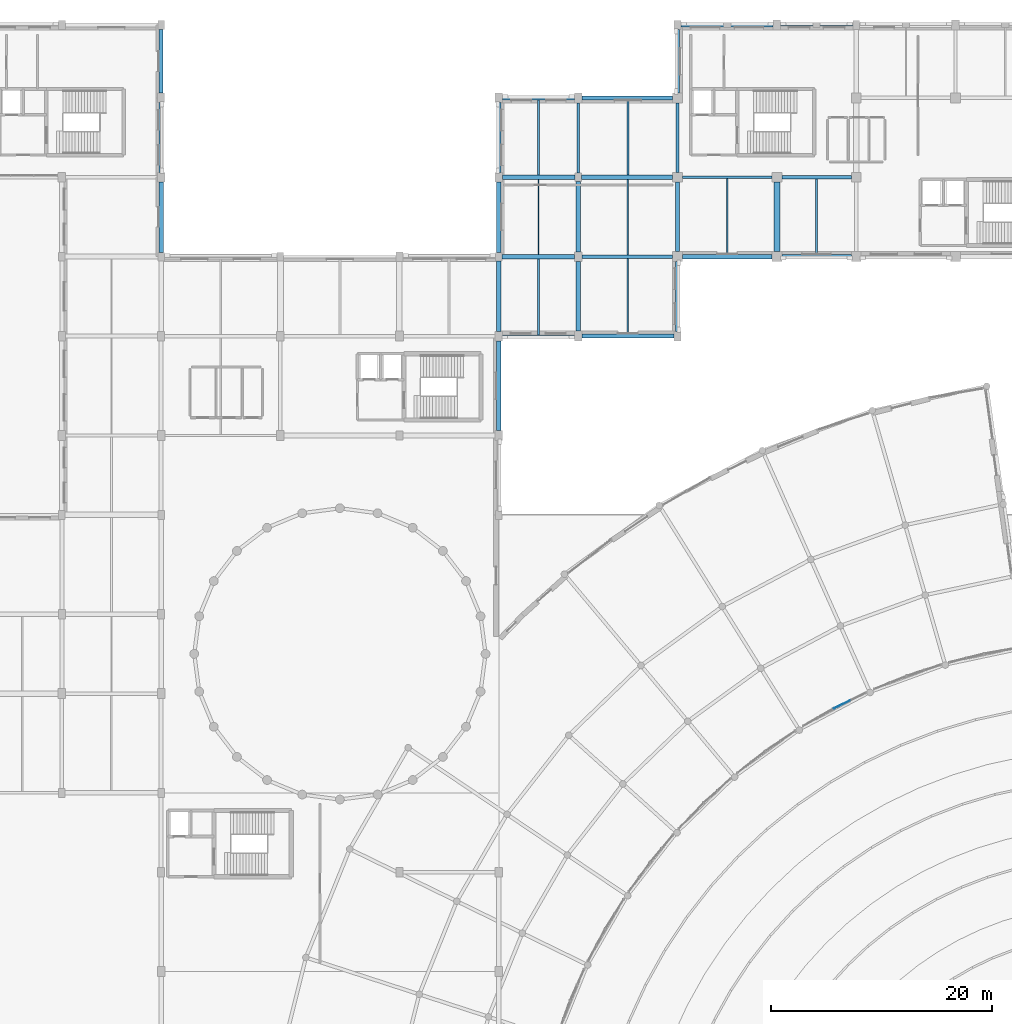
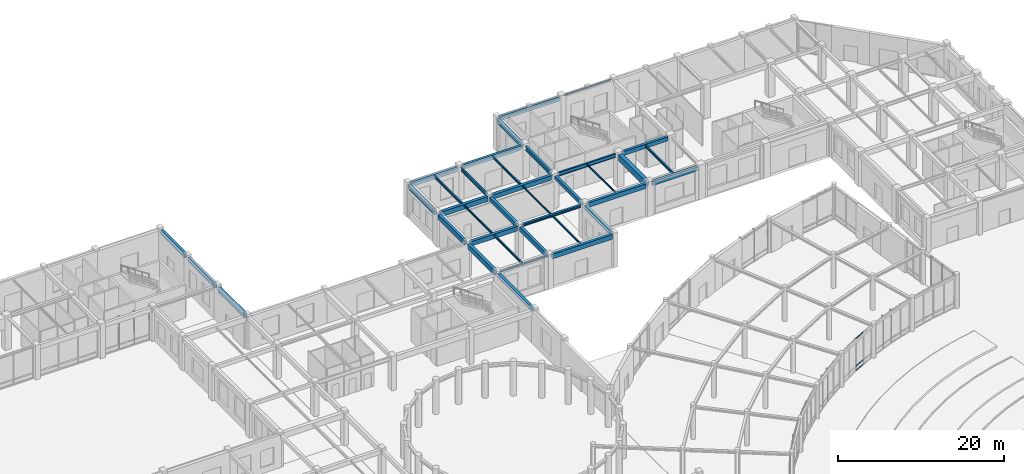
# One storey, part 32 of 64: 37 beams, 3 members, 1 element without a shape of its own.
"""IFC4 building model written with IfcOpenShell, lengths in metres."""

from ifc_helpers import new_model, si_unit, direction, frame, origin, origin_2d, place, context, subcontext, project, spatial, rectangle, i_section, extrude, material, material_profile, profile_set, type_object, element, aggregate, save


model = new_model("IFC4")

# Units and contexts
model_context = context("Model", 3, precision=1e-05, world=origin(), true_north=direction((0.0, 1.0)))
body_context = subcontext(model_context, "Body", "Model", "MODEL_VIEW")
ifc_project = project(units=[si_unit("LENGTHUNIT", "METRE"), si_unit("AREAUNIT", "SQUARE_METRE"), si_unit("VOLUMEUNIT", "CUBIC_METRE"), si_unit("PLANEANGLEUNIT", "RADIAN"), si_unit("MASSUNIT", "GRAM", prefix="KILO")], contexts=[model_context])

# Site, building, storey
site_placement = place(None, origin())
site = spatial("IfcSite", under=ifc_project, at=site_placement, CompositionType="ELEMENT")
building_placement = place(site_placement, origin())
building = spatial("IfcBuilding", under=site, at=building_placement, Name="Clarverna Civic Hall", CompositionType="ELEMENT")
storey_placement = place(building_placement, origin())
storey = spatial("IfcBuildingStorey", under=building, at=storey_placement, Name="L00", CompositionType="ELEMENT", Elevation=0.0)

# Beams
ifc_material_1 = material(Name="Steel S355", Category="steel")
ifc_material_profile_1 = material_profile(ifc_material_1, i_section(OverallWidth=0.219970703125, OverallDepth=0.2099609375, WebThickness=0.007080078125, FlangeThickness=0.010986328125, FilletRadius=0.01806640625, at=origin_2d()), Name="HEA 220")
ifc_profile_set_1 = profile_set([ifc_material_profile_1], Name="Steel S355")
beam_type_1 = type_object("IfcBeamType", Name="B-LN1", PredefinedType="LINTEL", material=ifc_profile_set_1)
beam_1_placement = place(storey_placement, frame((97.52490234375, 87.800048828125, 4.675048828125), z_axis=(1.0, 0.0, 0.0), x_axis=(0.0, 1.0, 0.0)))
element("IfcBeam", 1, at=beam_1_placement, inside=storey, type_object=beam_type_1, Name="B-LN1-006", PredefinedType="LINTEL", context=body_context, shape_type="SweptSolid", body=[
    extrude(i_section(OverallWidth=0.219970703125, OverallDepth=0.2099609375, WebThickness=0.007080078125, FlangeThickness=0.010986328125, FilletRadius=0.01806640625, at=origin_2d()), origin(), (0.0, 0.0, 1.0), 6.525146484375),
])
ifc_material_profile_2 = material_profile(ifc_material_1, i_section(OverallWidth=0.199951171875, OverallDepth=0.18994140625, WebThickness=0.006591796875, FlangeThickness=0.010009765625, FilletRadius=0.01806640625, at=origin_2d()), Name="HEA 200")
ifc_profile_set_2 = profile_set([ifc_material_profile_2], Name="Steel S355")
beam_type_2 = type_object("IfcBeamType", Name="B-LN2", PredefinedType="LINTEL", material=ifc_profile_set_2)
beam_2_placement = place(storey_placement, frame((122.75, 116.0, 4.68505859375), z_axis=(1.0, 0.0, 0.0), x_axis=(0.0, 1.0, 0.0)))
element("IfcBeam", 2, at=beam_2_placement, inside=storey, type_object=beam_type_2, Name="B-LN2-010", PredefinedType="LINTEL", context=body_context, shape_type="SweptSolid", body=[
    extrude(i_section(OverallWidth=0.199951171875, OverallDepth=0.18994140625, WebThickness=0.006591796875, FlangeThickness=0.010009765625, FilletRadius=0.01806640625, at=origin_2d()), origin(), (0.0, 0.0, 1.0), 6.550048828125),
])
ifc_material_2 = material(Name="Concrete C35/45", Category="concrete")
ifc_material_profile_3 = material_profile(ifc_material_2, rectangle(XDim=0.35009765625, YDim=0.5, at=origin_2d()), Name="RC 350x500")
ifc_profile_set_3 = profile_set([ifc_material_profile_3], Name="Concrete C35/45")
beam_type_3 = type_object("IfcBeamType", Name="B-RC10", PredefinedType="BEAM", material=ifc_profile_set_3)
beam_3_placement = place(storey_placement, frame((113.39990234375, 95.449951171875, 4.530029296875), z_axis=(0.0, 1.0, 0.0), x_axis=(-1.0, 0.0, 0.0)))
element("IfcBeam", 3, at=beam_3_placement, inside=storey, type_object=beam_type_3, Name="B-RC10-021", PredefinedType="BEAM", context=body_context, shape_type="SweptSolid", body=[
    extrude(rectangle(XDim=0.35009765625, YDim=0.5, at=origin_2d()), origin(), (0.0, 0.0, 1.0), 6.300048828125),
])
ifc_material_profile_4 = material_profile(ifc_material_2, rectangle(XDim=0.550048828125, YDim=0.89990234375, at=origin_2d()), Name="RC 550x900")
ifc_profile_set_4 = profile_set([ifc_material_profile_4], Name="Concrete C35/45")
beam_type_4 = type_object("IfcBeamType", Name="B-RC13", PredefinedType="BEAM", material=ifc_profile_set_4)
beam_4_placement = place(storey_placement, frame((122.39990234375, 95.449951171875, 4.330078125), z_axis=(0.0, 1.0, 0.0), x_axis=(-1.0, 0.0, 0.0)))
element("IfcBeam", 4, at=beam_4_placement, inside=storey, type_object=beam_type_4, Name="B-RC13-020", PredefinedType="BEAM", context=body_context, shape_type="SweptSolid", body=[
    extrude(rectangle(XDim=0.550048828125, YDim=0.89990234375, at=origin_2d()), origin(), (0.0, 0.0, 1.0), 6.300048828125),
])
ifc_material_profile_5 = material_profile(ifc_material_2, rectangle(XDim=0.39990234375, YDim=0.699951171875, at=origin_2d()), Name="RC 400x700")
ifc_profile_set_5 = profile_set([ifc_material_profile_5], Name="Concrete C35/45")
beam_type_5 = type_object("IfcBeamType", Name="B-RC5", PredefinedType="BEAM", material=ifc_profile_set_5)
beam_5_placement = place(storey_placement, frame((97.550048828125, 102.199951171875, 4.429931640625), z_axis=(1.0, 0.0, 0.0), x_axis=(0.0, 1.0, 0.0)))
element("IfcBeam", 5, at=beam_5_placement, inside=storey, type_object=beam_type_5, Name="B-RC5-020", PredefinedType="BEAM", context=body_context, shape_type="SweptSolid", body=[
    extrude(rectangle(XDim=0.39990234375, YDim=0.699951171875, at=origin_2d()), origin(), (0.0, 0.0, 1.0), 6.550048828125),
])
ifc_material_profile_6 = material_profile(ifc_material_2, rectangle(XDim=0.39990234375, YDim=0.64990234375, at=origin_2d()), Name="RC 400x650")
ifc_profile_set_6 = profile_set([ifc_material_profile_6], Name="Concrete C35/45")
beam_type_6 = type_object("IfcBeamType", Name="B-RC6", PredefinedType="BEAM", material=ifc_profile_set_6)
beam_6_placement = place(storey_placement, frame((97.5, 95.0, 4.455078125), z_axis=(1.0, 0.0, 0.0), x_axis=(0.0, 1.0, 0.0)))
element("IfcBeam", 6, at=beam_6_placement, inside=storey, type_object=beam_type_6, Name="B-RC6-018", PredefinedType="BEAM", context=body_context, shape_type="SweptSolid", body=[
    extrude(rectangle(XDim=0.39990234375, YDim=0.64990234375, at=origin_2d()), origin(), (0.0, 0.0, 1.0), 6.574951171875),
])
beam_7_placement = place(storey_placement, frame((104.699951171875, 102.199951171875, 4.455078125), z_axis=(1.0, 0.0, 0.0), x_axis=(0.0, 1.0, 0.0)))
element("IfcBeam", 7, at=beam_7_placement, inside=storey, type_object=beam_type_6, Name="B-RC6-019", PredefinedType="BEAM", context=body_context, shape_type="SweptSolid", body=[
    extrude(rectangle(XDim=0.39990234375, YDim=0.64990234375, at=origin_2d()), origin(), (0.0, 0.0, 1.0), 8.25),
])
beam_8_placement = place(storey_placement, frame((104.39990234375, 88.25, 4.455078125), z_axis=(0.0, 1.0, 0.0), x_axis=(-1.0, 0.0, 0.0)))
element("IfcBeam", 8, at=beam_8_placement, inside=storey, type_object=beam_type_6, Name="B-RC6-023", PredefinedType="BEAM", context=body_context, shape_type="SweptSolid", body=[
    extrude(rectangle(XDim=0.39990234375, YDim=0.64990234375, at=origin_2d()), origin(), (0.0, 0.0, 1.0), 6.324951171875),
])
ifc_material_profile_7 = material_profile(ifc_material_2, rectangle(XDim=0.39990234375, YDim=0.60009765625, at=origin_2d()), Name="RC 400x600")
ifc_profile_set_7 = profile_set([ifc_material_profile_7], Name="Concrete C35/45")
beam_type_7 = type_object("IfcBeamType", Name="B-RC7", PredefinedType="BEAM", material=ifc_profile_set_7)
beam_9_placement = place(storey_placement, frame((104.39990234375, 95.425048828125, 4.47998046875), z_axis=(0.0, 1.0, 0.0), x_axis=(-1.0, 0.0, 0.0)))
element("IfcBeam", 9, at=beam_9_placement, inside=storey, type_object=beam_type_7, Name="B-RC7-020", PredefinedType="BEAM", context=body_context, shape_type="SweptSolid", body=[
    extrude(rectangle(XDim=0.39990234375, YDim=0.60009765625, at=origin_2d()), origin(), (0.0, 0.0, 1.0), 6.375),
])
ifc_material_profile_8 = material_profile(ifc_material_2, rectangle(XDim=0.35009765625, YDim=0.60009765625, at=origin_2d()), Name="RC 350x600")
ifc_profile_set_8 = profile_set([ifc_material_profile_8], Name="Concrete C35/45")
beam_type_8 = type_object("IfcBeamType", Name="B-RC8", PredefinedType="BEAM", material=ifc_profile_set_8)
beam_10_placement = place(storey_placement, frame((122.85009765625, 102.199951171875, 4.47998046875), z_axis=(1.0, 0.0, 0.0), x_axis=(0.0, 1.0, 0.0)))
element("IfcBeam", 10, at=beam_10_placement, inside=storey, type_object=beam_type_8, Name="B-RC8-019", PredefinedType="BEAM", context=body_context, shape_type="SweptSolid", body=[
    extrude(rectangle(XDim=0.35009765625, YDim=0.60009765625, at=origin_2d()), origin(), (0.0, 0.0, 1.0), 6.2998046875),
])
ifc_material_profile_9 = material_profile(ifc_material_2, rectangle(XDim=0.419921875, YDim=0.719970703125, at=origin_2d()), Name="RC 420x720")
ifc_profile_set_9 = profile_set([ifc_material_profile_9], Name="Concrete C35/45")
beam_type_9 = type_object("IfcBeamType", Name="B-SP1", PredefinedType="SPANDREL", material=ifc_profile_set_9)
beam_11_placement = place(storey_placement, frame((66.60009765625, 95.39990234375, 4.419921875), z_axis=(0.0, 1.0, 0.0), x_axis=(-1.0, 0.0, 0.0)))
element("IfcBeam", 11, at=beam_11_placement, inside=storey, type_object=beam_type_9, Name="B-SP1-052", PredefinedType="SPANDREL", context=body_context, shape_type="SweptSolid", body=[
    extrude(rectangle(XDim=0.419921875, YDim=0.719970703125, at=origin_2d()), origin(), (0.0, 0.0, 1.0), 6.35009765625),
])
beam_12_placement = place(storey_placement, frame((97.199951171875, 88.22509765625, 4.419921875), z_axis=(0.0, 1.0, 0.0), x_axis=(-1.0, 0.0, 0.0)))
element("IfcBeam", 12, at=beam_12_placement, inside=storey, type_object=beam_type_9, Name="B-SP1-054", PredefinedType="SPANDREL", context=body_context, shape_type="SweptSolid", body=[
    extrude(rectangle(XDim=0.419921875, YDim=0.719970703125, at=origin_2d()), origin(), (0.0, 0.0, 1.0), 6.375),
])
ifc_material_profile_10 = material_profile(ifc_material_2, rectangle(XDim=0.3798828125, YDim=0.679931640625, at=origin_2d()), Name="RC 380x680")
ifc_profile_set_10 = profile_set([ifc_material_profile_10], Name="Concrete C35/45")
beam_type_10 = type_object("IfcBeamType", Name="B-SP2", PredefinedType="SPANDREL", material=ifc_profile_set_10)
beam_13_placement = place(storey_placement, frame((104.75, 87.800048828125, 4.43994140625), z_axis=(1.0, 0.0, 0.0), x_axis=(0.0, 1.0, 0.0)))
element("IfcBeam", 13, at=beam_13_placement, inside=storey, type_object=beam_type_10, Name="B-SP2-036", PredefinedType="SPANDREL", context=body_context, shape_type="SweptSolid", body=[
    extrude(rectangle(XDim=0.3798828125, YDim=0.679931640625, at=origin_2d()), origin(), (0.0, 0.0, 1.0), 8.324951171875),
])
beam_14_placement = place(storey_placement, frame((113.85009765625, 95.0, 4.43994140625), z_axis=(1.0, 0.0, 0.0), x_axis=(0.0, 1.0, 0.0)))
element("IfcBeam", 14, at=beam_14_placement, inside=storey, type_object=beam_type_10, Name="B-SP2-037", PredefinedType="SPANDREL", context=body_context, shape_type="SweptSolid", body=[
    extrude(rectangle(XDim=0.3798828125, YDim=0.679931640625, at=origin_2d()), origin(), (0.0, 0.0, 1.0), 8.099853515625),
])
beam_15_placement = place(storey_placement, frame((97.52490234375, 109.39990234375, 4.43994140625), z_axis=(1.0, 0.0, 0.0), x_axis=(0.0, 1.0, 0.0)))
element("IfcBeam", 15, at=beam_15_placement, inside=storey, type_object=beam_type_10, Name="B-SP2-039", PredefinedType="SPANDREL", context=body_context, shape_type="SweptSolid", body=[
    extrude(rectangle(XDim=0.3798828125, YDim=0.679931640625, at=origin_2d()), origin(), (0.0, 0.0, 1.0), 6.525146484375),
])
beam_16_placement = place(storey_placement, frame((66.60009765625, 102.64990234375, 4.47998046875), z_axis=(0.0, 1.0, 0.0), x_axis=(-1.0, 0.0, 0.0)))
element("IfcBeam", 16, at=beam_16_placement, inside=storey, type_object=beam_type_10, Name="B-SP2-051", PredefinedType="SPANDREL", context=body_context, shape_type="SweptSolid", body=[
    extrude(rectangle(XDim=0.3798828125, YDim=0.679931640625, at=origin_2d()), origin(), (0.0, 0.0, 1.0), 6.3251953125),
])
beam_17_placement = place(storey_placement, frame((97.199951171875, 95.39990234375, 4.43994140625), z_axis=(0.0, 1.0, 0.0), x_axis=(-1.0, 0.0, 0.0)))
element("IfcBeam", 17, at=beam_17_placement, inside=storey, type_object=beam_type_10, Name="B-SP2-053", PredefinedType="SPANDREL", context=body_context, shape_type="SweptSolid", body=[
    extrude(rectangle(XDim=0.3798828125, YDim=0.679931640625, at=origin_2d()), origin(), (0.0, 0.0, 1.0), 6.35009765625),
])
beam_18_placement = place(storey_placement, frame((113.39990234375, 109.85009765625, 4.43994140625), z_axis=(0.0, 1.0, 0.0), x_axis=(-1.0, 0.0, 0.0)))
element("IfcBeam", 18, at=beam_18_placement, inside=storey, type_object=beam_type_10, Name="B-SP2-054", PredefinedType="SPANDREL", context=body_context, shape_type="SweptSolid", body=[
    extrude(rectangle(XDim=0.3798828125, YDim=0.679931640625, at=origin_2d()), origin(), (0.0, 0.0, 1.0), 5.75),
])
ifc_material_profile_11 = material_profile(ifc_material_2, rectangle(XDim=0.360107421875, YDim=0.6201171875, at=origin_2d()), Name="RC 360x620")
ifc_profile_set_11 = profile_set([ifc_material_profile_11], Name="Concrete C35/45")
beam_type_11 = type_object("IfcBeamType", Name="B-SP3", PredefinedType="SPANDREL", material=ifc_profile_set_11)
beam_19_placement = place(storey_placement, frame((122.85009765625, 95.0, 4.469970703125), z_axis=(1.0, 0.0, 0.0), x_axis=(0.0, 1.0, 0.0)))
element("IfcBeam", 19, at=beam_19_placement, inside=storey, type_object=beam_type_11, Name="B-SP3-038", PredefinedType="SPANDREL", context=body_context, shape_type="SweptSolid", body=[
    extrude(rectangle(XDim=0.360107421875, YDim=0.6201171875, at=origin_2d()), origin(), (0.0, 0.0, 1.0), 6.2998046875),
])
beam_20_placement = place(storey_placement, frame((104.75, 109.39990234375, 4.469970703125), z_axis=(1.0, 0.0, 0.0), x_axis=(0.0, 1.0, 0.0)))
element("IfcBeam", 20, at=beam_20_placement, inside=storey, type_object=beam_type_11, Name="B-SP3-041", PredefinedType="SPANDREL", context=body_context, shape_type="SweptSolid", body=[
    extrude(rectangle(XDim=0.360107421875, YDim=0.6201171875, at=origin_2d()), origin(), (0.0, 0.0, 1.0), 8.199951171875),
])
beam_21_placement = place(storey_placement, frame((113.699951171875, 116.0, 4.469970703125), z_axis=(1.0, 0.0, 0.0), x_axis=(0.0, 1.0, 0.0)))
element("IfcBeam", 21, at=beam_21_placement, inside=storey, type_object=beam_type_11, Name="B-SP3-043", PredefinedType="SPANDREL", context=body_context, shape_type="SweptSolid", body=[
    extrude(rectangle(XDim=0.360107421875, YDim=0.6201171875, at=origin_2d()), origin(), (0.0, 0.0, 1.0), 8.35009765625),
])
beam_22_placement = place(storey_placement, frame((66.60009765625, 109.824951171875, 4.510009765625), z_axis=(0.0, 1.0, 0.0), x_axis=(-1.0, 0.0, 0.0)))
element("IfcBeam", 22, at=beam_22_placement, inside=storey, type_object=beam_type_11, Name="B-SP3-052", PredefinedType="SPANDREL", context=body_context, shape_type="SweptSolid", body=[
    extrude(rectangle(XDim=0.360107421875, YDim=0.6201171875, at=origin_2d()), origin(), (0.0, 0.0, 1.0), 5.775146484375),
])
beam_23_placement = place(storey_placement, frame((97.199951171875, 102.64990234375, 4.469970703125), z_axis=(0.0, 1.0, 0.0), x_axis=(-1.0, 0.0, 0.0)))
element("IfcBeam", 23, at=beam_23_placement, inside=storey, type_object=beam_type_11, Name="B-SP3-054", PredefinedType="SPANDREL", context=body_context, shape_type="SweptSolid", body=[
    extrude(rectangle(XDim=0.360107421875, YDim=0.6201171875, at=origin_2d()), origin(), (0.0, 0.0, 1.0), 6.3251953125),
])
beam_24_placement = place(storey_placement, frame((113.39990234375, 88.22509765625, 4.469970703125), z_axis=(0.0, 1.0, 0.0), x_axis=(-1.0, 0.0, 0.0)))
element("IfcBeam", 24, at=beam_24_placement, inside=storey, type_object=beam_type_11, Name="B-SP3-055", PredefinedType="SPANDREL", context=body_context, shape_type="SweptSolid", body=[
    extrude(rectangle(XDim=0.360107421875, YDim=0.6201171875, at=origin_2d()), origin(), (0.0, 0.0, 1.0), 6.324951171875),
])
ifc_material_profile_12 = material_profile(ifc_material_2, rectangle(XDim=0.39990234375, YDim=0.56005859375, at=origin_2d()), Name="RC 400x560")
ifc_profile_set_12 = profile_set([ifc_material_profile_12], Name="Concrete C35/45")
beam_type_12 = type_object("IfcBeamType", Name="B-SP4", PredefinedType="SPANDREL", material=ifc_profile_set_12)
beam_25_placement = place(storey_placement, frame((97.199951171875, 79.25, 4.5), z_axis=(0.0, 1.0, 0.0), x_axis=(-1.0, 0.0, 0.0)))
element("IfcBeam", 25, at=beam_25_placement, inside=storey, type_object=beam_type_12, Name="B-SP4-050", PredefinedType="SPANDREL", context=body_context, shape_type="SweptSolid", body=[
    extrude(rectangle(XDim=0.39990234375, YDim=0.56005859375, at=origin_2d()), origin(), (0.0, 0.0, 1.0), 8.125),
])
ifc_material_profile_13 = material_profile(ifc_material_1, i_section(OverallWidth=0.300048828125, OverallDepth=0.60009765625, WebThickness=0.015380859375, FlangeThickness=0.030029296875, FilletRadius=0.027099609375, at=origin_2d()), Name="HEB 600")
ifc_profile_set_13 = profile_set([ifc_material_profile_13], Name="Steel S355")
beam_type_13 = type_object("IfcBeamType", Name="B-ST1", PredefinedType="BEAM", material=ifc_profile_set_13)
beam_26_placement = place(storey_placement, frame((113.39990234375, 102.64990234375, 4.47998046875), z_axis=(0.0, 1.0, 0.0), x_axis=(-1.0, 0.0, 0.0)))
element("IfcBeam", 26, at=beam_26_placement, inside=storey, type_object=beam_type_13, Name="B-ST1-005", PredefinedType="BEAM", context=body_context, shape_type="SweptSolid", body=[
    extrude(i_section(OverallWidth=0.300048828125, OverallDepth=0.60009765625, WebThickness=0.015380859375, FlangeThickness=0.030029296875, FilletRadius=0.027099609375, at=origin_2d()), origin(), (0.0, 0.0, 1.0), 6.300048828125),
])
ifc_material_profile_14 = material_profile(ifc_material_1, i_section(OverallWidth=0.2099609375, OverallDepth=0.550048828125, WebThickness=0.010986328125, FlangeThickness=0.01708984375, FilletRadius=0.02392578125, at=origin_2d()), Name="IPE 550")
ifc_profile_set_14 = profile_set([ifc_material_profile_14], Name="Steel S355")
beam_type_14 = type_object("IfcBeamType", Name="B-ST11", PredefinedType="BEAM", material=ifc_profile_set_14)
beam_27_placement = place(storey_placement, frame((113.85009765625, 102.199951171875, 4.5048828125), z_axis=(1.0, 0.0, 0.0), x_axis=(0.0, 1.0, 0.0)))
element("IfcBeam", 27, at=beam_27_placement, inside=storey, type_object=beam_type_14, Name="B-ST11-003", PredefinedType="BEAM", context=body_context, shape_type="SweptSolid", body=[
    extrude(i_section(OverallWidth=0.2099609375, OverallDepth=0.550048828125, WebThickness=0.010986328125, FlangeThickness=0.01708984375, FilletRadius=0.02392578125, at=origin_2d()), origin(), (0.0, 0.0, 1.0), 8.099853515625),
])
ifc_material_profile_15 = material_profile(ifc_material_1, i_section(OverallWidth=0.199951171875, OverallDepth=0.5, WebThickness=0.01025390625, FlangeThickness=0.01611328125, FilletRadius=0.02099609375, at=origin_2d()), Name="IPE 500")
ifc_profile_set_15 = profile_set([ifc_material_profile_15], Name="Steel S355")
beam_type_15 = type_object("IfcBeamType", Name="B-ST12", PredefinedType="BEAM", material=ifc_profile_set_15)
beam_28_placement = place(storey_placement, frame((104.39990234375, 102.60009765625, 4.530029296875), z_axis=(0.0, 1.0, 0.0), x_axis=(-1.0, 0.0, 0.0)))
element("IfcBeam", 28, at=beam_28_placement, inside=storey, type_object=beam_type_15, Name="B-ST12-005", PredefinedType="BEAM", context=body_context, shape_type="SweptSolid", body=[
    extrude(i_section(OverallWidth=0.199951171875, OverallDepth=0.5, WebThickness=0.01025390625, FlangeThickness=0.01611328125, FilletRadius=0.02099609375, at=origin_2d()), origin(), (0.0, 0.0, 1.0), 6.349853515625),
])
ifc_material_profile_16 = material_profile(ifc_material_1, i_section(OverallWidth=0.300048828125, OverallDepth=0.35009765625, WebThickness=0.010009765625, FlangeThickness=0.017578125, FilletRadius=0.027099609375, at=origin_2d()), Name="HEA 360")
ifc_profile_set_16 = profile_set([ifc_material_profile_16], Name="Steel S355")
beam_type_16 = type_object("IfcBeamType", Name="B-ST7", PredefinedType="BEAM", material=ifc_profile_set_16)
beam_29_placement = place(storey_placement, frame((104.72509765625, 95.0, 4.60498046875), z_axis=(1.0, 0.0, 0.0), x_axis=(0.0, 1.0, 0.0)))
element("IfcBeam", 29, at=beam_29_placement, inside=storey, type_object=beam_type_16, Name="B-ST7-002", PredefinedType="BEAM", context=body_context, shape_type="SweptSolid", body=[
    extrude(i_section(OverallWidth=0.300048828125, OverallDepth=0.35009765625, WebThickness=0.010009765625, FlangeThickness=0.017578125, FilletRadius=0.027099609375, at=origin_2d()), origin(), (0.0, 0.0, 1.0), 8.224853515625),
])

# Curtain wall, members
ifc_material_3 = material(Name="Anodised Bronze Architectural Aluminium", Category="aluminium")
curtain_wall_type = type_object("IfcCurtainWallType", Name="CW-03", PredefinedType="USERDEFINED", material=ifc_material_3)
curtain_wall_placement = place(storey_placement, origin())
curtain_wall = element("IfcCurtainWall", 30, at=curtain_wall_placement, inside=storey, type_object=curtain_wall_type, Name="CW-03-012", ObjectType="UNITISED CURTAIN WALL", PredefinedType="USERDEFINED")
ifc_material_profile_17 = material_profile(ifc_material_3, rectangle(XDim=0.06005859375, YDim=0.14990234375, at=origin_2d()), Name="BRONZE 60x150")
ifc_profile_set_17 = profile_set([ifc_material_profile_17], Name="Anodised Bronze Architectural Aluminium")
member_type = type_object("IfcMemberType", Name="CWT-01", PredefinedType="USERDEFINED", material=ifc_profile_set_17)
member_1_placement = place(storey_placement, frame((129.00439453125, 54.760009765625, 0.094970703125), z_axis=(-0.898847792123, -0.43826093437, 0.0), x_axis=(0.43826093437, -0.898847792123, 0.0)))
member_1 = element("IfcMember", 31, at=member_1_placement, type_object=member_type, Name="CWT-01-022", ObjectType="TRANSOM", PredefinedType="USERDEFINED", context=body_context, shape_type="SweptSolid", body=[
    extrude(rectangle(XDim=0.06005859375, YDim=0.14990234375, at=origin_2d()), origin(), (0.0, 0.0, 1.0), 1.596435546875),
])
member_2_placement = place(storey_placement, frame((129.00439453125, 54.760009765625, 0.75), z_axis=(-0.898847792123, -0.43826093437, 0.0), x_axis=(0.43826093437, -0.898847792123, 0.0)))
member_2 = element("IfcMember", 32, at=member_2_placement, type_object=member_type, Name="CWT-01-023", ObjectType="TRANSOM", PredefinedType="USERDEFINED", context=body_context, shape_type="SweptSolid", body=[
    extrude(rectangle(XDim=0.06005859375, YDim=0.14990234375, at=origin_2d()), origin(), (0.0, 0.0, 1.0), 1.596435546875),
])
member_3_placement = place(storey_placement, frame((129.00439453125, 54.760009765625, 4.764892578125), z_axis=(-0.898847792123, -0.43826093437, 0.0), x_axis=(0.43826093437, -0.898847792123, 0.0)))
member_3 = element("IfcMember", 33, at=member_3_placement, type_object=member_type, Name="CWT-01-024", ObjectType="TRANSOM", PredefinedType="USERDEFINED", context=body_context, shape_type="SweptSolid", body=[
    extrude(rectangle(XDim=0.06005859375, YDim=0.14990234375, at=origin_2d()), origin(), (0.0, 0.0, 1.0), 1.596435546875),
])
aggregate(curtain_wall, [member_1, member_2, member_3])

# Beams
ifc_material_profile_18 = material_profile(ifc_material_1, i_section(OverallWidth=0.169921875, OverallDepth=0.360107421875, WebThickness=0.008056640625, FlangeThickness=0.0126953125, FilletRadius=0.01806640625, at=origin_2d()), Name="IPE 360")
ifc_profile_set_18 = profile_set([ifc_material_profile_18], Name="Steel S355")
beam_type_17 = type_object("IfcBeamType", Name="J-ST1", PredefinedType="JOIST", material=ifc_profile_set_18)
beam_30_placement = place(storey_placement, frame((126.0, 95.179931640625, 4.60009765625), z_axis=(0.0, 1.0, 0.0), x_axis=(-1.0, 0.0, 0.0)))
element("IfcBeam", 34, at=beam_30_placement, inside=storey, type_object=beam_type_17, Name="J-ST1-032", PredefinedType="JOIST", context=body_context, shape_type="SweptSolid", body=[
    extrude(i_section(OverallWidth=0.169921875, OverallDepth=0.360107421875, WebThickness=0.008056640625, FlangeThickness=0.0126953125, FilletRadius=0.01806640625, at=origin_2d()), origin(), (0.0, 0.0, 1.0), 6.844970703125),
])
beam_31_placement = place(storey_placement, frame((100.800048828125, 102.39990234375, 4.60009765625), z_axis=(0.0, 1.0, 0.0), x_axis=(-1.0, 0.0, 0.0)))
element("IfcBeam", 35, at=beam_31_placement, inside=storey, type_object=beam_type_17, Name="J-ST1-033", PredefinedType="JOIST", context=body_context, shape_type="SweptSolid", body=[
    extrude(i_section(OverallWidth=0.169921875, OverallDepth=0.360107421875, WebThickness=0.008056640625, FlangeThickness=0.0126953125, FilletRadius=0.01806640625, at=origin_2d()), origin(), (0.0, 0.0, 1.0), 6.81005859375),
])
ifc_material_profile_19 = material_profile(ifc_material_1, i_section(OverallWidth=0.159912109375, OverallDepth=0.330078125, WebThickness=0.007568359375, FlangeThickness=0.011474609375, FilletRadius=0.01806640625, at=origin_2d()), Name="IPE 330")
ifc_profile_set_19 = profile_set([ifc_material_profile_19], Name="Steel S355")
beam_type_18 = type_object("IfcBeamType", Name="J-ST2", PredefinedType="JOIST", material=ifc_profile_set_19)
beam_32_placement = place(storey_placement, frame((108.89990234375, 102.39990234375, 4.614990234375), z_axis=(0.0, 1.0, 0.0), x_axis=(-1.0, 0.0, 0.0)))
element("IfcBeam", 36, at=beam_32_placement, inside=storey, type_object=beam_type_18, Name="J-ST2-033", PredefinedType="JOIST", context=body_context, shape_type="SweptSolid", body=[
    extrude(i_section(OverallWidth=0.159912109375, OverallDepth=0.330078125, WebThickness=0.007568359375, FlangeThickness=0.011474609375, FilletRadius=0.01806640625, at=origin_2d()), origin(), (0.0, 0.0, 1.0), 6.820068359375),
])
ifc_material_profile_20 = material_profile(ifc_material_1, i_section(OverallWidth=0.14990234375, OverallDepth=0.300048828125, WebThickness=0.007080078125, FlangeThickness=0.0107421875, FilletRadius=0.014892578125, at=origin_2d()), Name="IPE 300")
ifc_profile_set_20 = profile_set([ifc_material_profile_20], Name="Steel S355")
beam_type_19 = type_object("IfcBeamType", Name="J-ST3", PredefinedType="JOIST", material=ifc_profile_set_20)
beam_33_placement = place(storey_placement, frame((100.800048828125, 87.909912109375, 4.6298828125), z_axis=(0.0, 1.0, 0.0), x_axis=(-1.0, 0.0, 0.0)))
element("IfcBeam", 37, at=beam_33_placement, inside=storey, type_object=beam_type_19, Name="J-ST3-030", PredefinedType="JOIST", context=body_context, shape_type="SweptSolid", body=[
    extrude(i_section(OverallWidth=0.14990234375, OverallDepth=0.300048828125, WebThickness=0.007080078125, FlangeThickness=0.0107421875, FilletRadius=0.014892578125, at=origin_2d()), origin(), (0.0, 0.0, 1.0), 6.89013671875),
])
ifc_material_profile_21 = material_profile(ifc_material_1, i_section(OverallWidth=0.135009765625, OverallDepth=0.27001953125, WebThickness=0.006591796875, FlangeThickness=0.01025390625, FilletRadius=0.014892578125, at=origin_2d()), Name="IPE 270")
ifc_profile_set_21 = profile_set([ifc_material_profile_21], Name="Steel S355")
beam_type_20 = type_object("IfcBeamType", Name="J-ST4", PredefinedType="JOIST", material=ifc_profile_set_21)
beam_34_placement = place(storey_placement, frame((108.89990234375, 87.989990234375, 4.64501953125), z_axis=(0.0, 1.0, 0.0), x_axis=(-1.0, 0.0, 0.0)))
element("IfcBeam", 38, at=beam_34_placement, inside=storey, type_object=beam_type_20, Name="J-ST4-032", PredefinedType="JOIST", context=body_context, shape_type="SweptSolid", body=[
    extrude(i_section(OverallWidth=0.135009765625, OverallDepth=0.27001953125, WebThickness=0.006591796875, FlangeThickness=0.01025390625, FilletRadius=0.014892578125, at=origin_2d()), origin(), (0.0, 0.0, 1.0), 6.860107421875),
])
beam_35_placement = place(storey_placement, frame((100.800048828125, 95.199951171875, 4.64501953125), z_axis=(0.0, 1.0, 0.0), x_axis=(-1.0, 0.0, 0.0)))
element("IfcBeam", 39, at=beam_35_placement, inside=storey, type_object=beam_type_20, Name="J-ST4-033", PredefinedType="JOIST", context=body_context, shape_type="SweptSolid", body=[
    extrude(i_section(OverallWidth=0.135009765625, OverallDepth=0.27001953125, WebThickness=0.006591796875, FlangeThickness=0.01025390625, FilletRadius=0.014892578125, at=origin_2d()), origin(), (0.0, 0.0, 1.0), 6.800048828125),
])
ifc_material_profile_22 = material_profile(ifc_material_1, i_section(OverallWidth=0.1201171875, OverallDepth=0.239990234375, WebThickness=0.006103515625, FlangeThickness=0.009765625, FilletRadius=0.014892578125, at=origin_2d()), Name="IPE 240")
ifc_profile_set_22 = profile_set([ifc_material_profile_22], Name="Steel S355")
beam_type_21 = type_object("IfcBeamType", Name="J-ST5", PredefinedType="JOIST", material=ifc_profile_set_22)
beam_36_placement = place(storey_placement, frame((108.89990234375, 95.14990234375, 4.659912109375), z_axis=(0.0, 1.0, 0.0), x_axis=(-1.0, 0.0, 0.0)))
element("IfcBeam", 40, at=beam_36_placement, inside=storey, type_object=beam_type_21, Name="J-ST5-031", PredefinedType="JOIST", context=body_context, shape_type="SweptSolid", body=[
    extrude(i_section(OverallWidth=0.1201171875, OverallDepth=0.239990234375, WebThickness=0.006103515625, FlangeThickness=0.009765625, FilletRadius=0.014892578125, at=origin_2d()), origin(), (0.0, 0.0, 1.0), 6.85009765625),
])
ifc_material_profile_23 = material_profile(ifc_material_1, i_section(OverallWidth=0.110107421875, OverallDepth=0.219970703125, WebThickness=0.005859375, FlangeThickness=0.00927734375, FilletRadius=0.011962890625, at=origin_2d()), Name="IPE 220")
ifc_profile_set_23 = profile_set([ifc_material_profile_23], Name="Steel S355")
beam_type_22 = type_object("IfcBeamType", Name="J-ST6", PredefinedType="JOIST", material=ifc_profile_set_23)
beam_37_placement = place(storey_placement, frame((117.89990234375, 95.18994140625, 4.669921875), z_axis=(0.0, 1.0, 0.0), x_axis=(-1.0, 0.0, 0.0)))
element("IfcBeam", 41, at=beam_37_placement, inside=storey, type_object=beam_type_22, Name="J-ST6-032", PredefinedType="JOIST", context=body_context, shape_type="SweptSolid", body=[
    extrude(i_section(OverallWidth=0.110107421875, OverallDepth=0.219970703125, WebThickness=0.005859375, FlangeThickness=0.00927734375, FilletRadius=0.011962890625, at=origin_2d()), origin(), (0.0, 0.0, 1.0), 6.905029296875),
])

save(model, "model.ifc")
